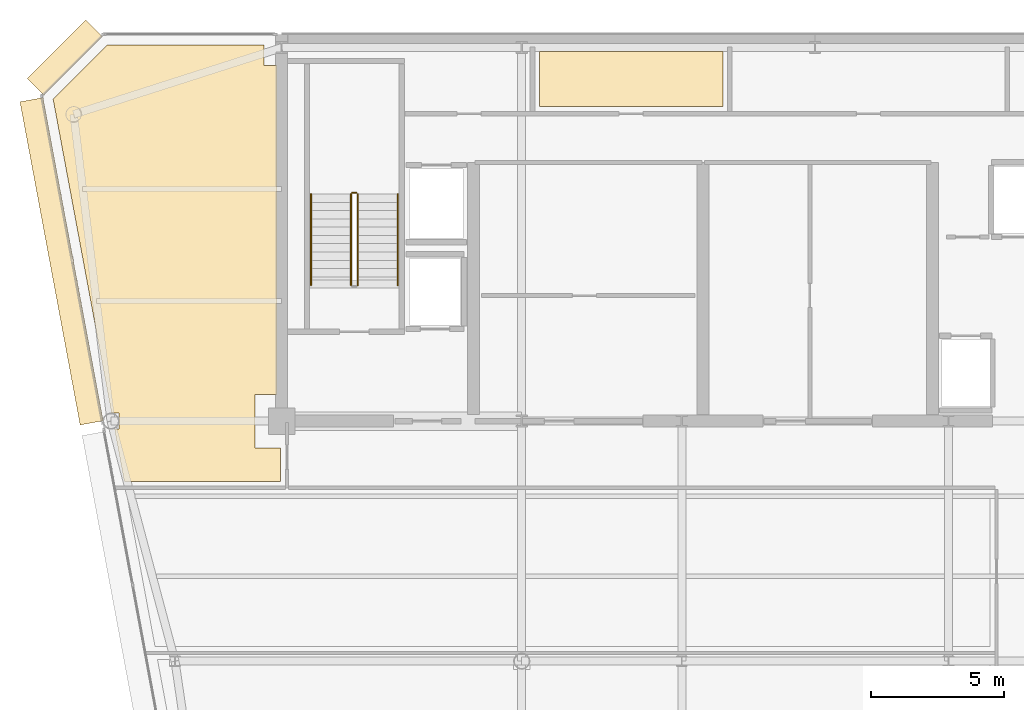
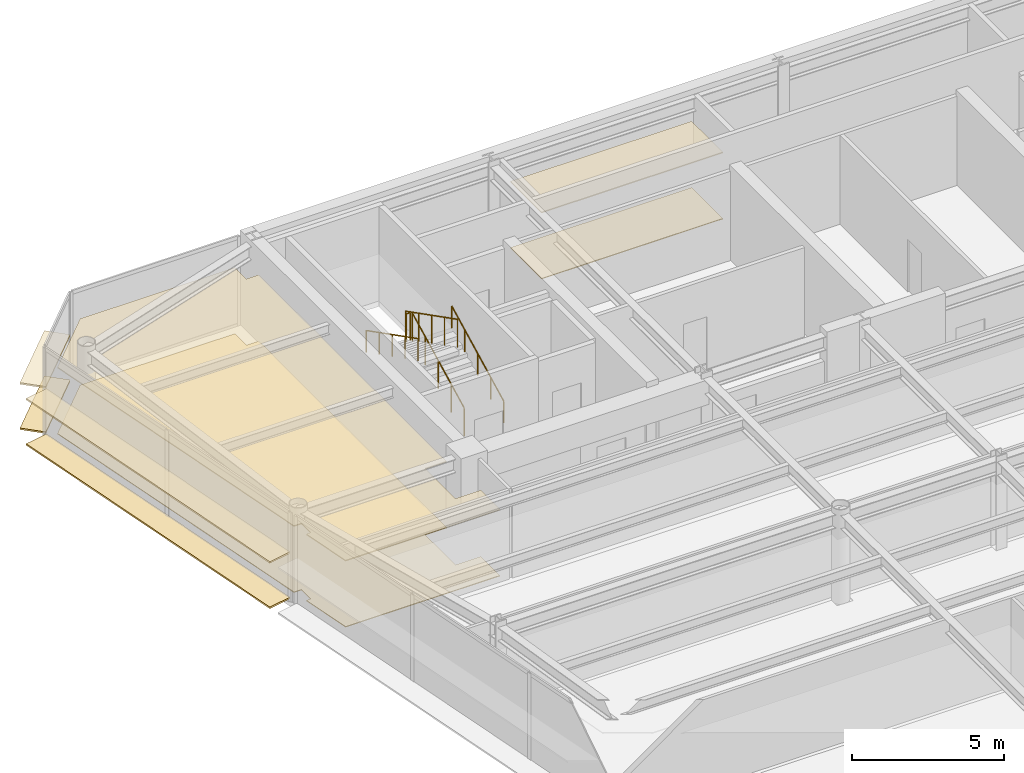
# One storey, part 16 of 18: 8 coverings, 5 railings.
"""IFC4 building model written with IfcOpenShell, lengths in metres."""

from ifc_helpers import new_model, si_unit, direction, frame, origin, origin_2d, place, context, subcontext, project, spatial, polyline, rectangle, circle, outline, extrude, source, transform, mapped, material, layer, layer_set, type_object, element, save


model = new_model("IFC4")

# Units and contexts
model_context = context("Model", 3, precision=1e-05, world=origin(), true_north=direction((0.0, 1.0)))
body_context = subcontext(model_context, "Body", "Model", "MODEL_VIEW")
ifc_project = project(units=[si_unit("LENGTHUNIT", "METRE"), si_unit("AREAUNIT", "SQUARE_METRE"), si_unit("VOLUMEUNIT", "CUBIC_METRE"), si_unit("PLANEANGLEUNIT", "RADIAN"), si_unit("MASSUNIT", "GRAM", prefix="KILO")], contexts=[model_context])

# Site, building, storey
site_placement = place(None, origin())
site = spatial("IfcSite", under=ifc_project, at=site_placement, CompositionType="ELEMENT")
building_placement = place(site_placement, origin())
building = spatial("IfcBuilding", under=site, at=building_placement, Name="Vaeldorn Concourse Tower", CompositionType="ELEMENT")
storey_placement = place(building_placement, frame((0.0, 0.0, 253.60009765625)))
storey = spatial("IfcBuildingStorey", under=building, at=storey_placement, Name="L65", CompositionType="ELEMENT", Elevation=253.60009765625)

# Coverings
ifc_material_1 = material(Name="Acoustic Mineral Fibre Board", Category="gypsum")
ifc_layer_1 = layer(ifc_material_1, 0.0400390625)
ifc_layer_set_1 = layer_set([ifc_layer_1], Name="Acoustic Mineral Fibre Board")
covering_type_1 = type_object("IfcCoveringType", Name="COV-CEIL-ACOUSTIC", PredefinedType="CEILING", material=ifc_layer_set_1)
covering_1_placement = place(storey_placement, frame((0.0, 0.0, 2.64990234375)))
element("IfcCovering", 1, at=covering_1_placement, inside=storey, type_object=covering_type_1, Name="Suspended Acoustic Ceiling L65-2", PredefinedType="CEILING", context=body_context, shape_type="SweptSolid", body=[
    extrude(outline(polyline([(30.5400390625, 50.35009765625), (30.5400390625, 48.300048828125), (23.659912109375, 48.300048828125), (23.659912109375, 50.35009765625), (30.5400390625, 50.35009765625)])), origin(), (0.0, 0.0, 1.0), 0.0400390625),
])
covering_2_placement = place(storey_placement, frame((0.0, 0.0, 2.64990234375)))
element("IfcCovering", 2, at=covering_2_placement, inside=storey, type_object=covering_type_1, Name="Suspended Acoustic Ceiling L65-3", PredefinedType="CEILING", context=body_context, shape_type="SweptSolid", body=[
    extrude(outline(polyline([(7.4658203125, 50.60009765625), (13.340087890625, 50.60009765625), (13.340087890625, 49.840087890625), (13.820068359375, 49.840087890625), (13.820068359375, 37.5), (13.0, 37.5), (13.0, 35.5), (13.9599609375, 35.5), (13.9599609375, 34.239990234375), (8.099365234375, 34.239990234375), (7.831298828125, 35.679931640625), (7.831298828125, 35.679931640625), (7.7353515625, 36.195068359375), (7.905029296875, 36.195068359375), (7.905029296875, 36.804931640625), (7.621826171875, 36.804931640625), (5.431884765625, 48.566162109375), (7.4658203125, 50.60009765625)])), origin(), (0.0, 0.0, 1.0), 0.0400390625),
])
ifc_material_2 = material(Name="Honed Limestone Terrazzo Flooring", Category="masonry")
ifc_layer_2 = layer(ifc_material_2, 0.0400390625)
ifc_layer_set_2 = layer_set([ifc_layer_2], Name="Honed Limestone Terrazzo Flooring")
covering_type_2 = type_object("IfcCoveringType", Name="COV-FLOOR-STONE", PredefinedType="FLOORING", material=ifc_layer_set_2)
covering_3_placement = place(storey_placement, origin())
element("IfcCovering", 3, at=covering_3_placement, inside=storey, type_object=covering_type_2, Name="Floor Finish Covering L65-2", PredefinedType="FLOORING", context=body_context, shape_type="SweptSolid", body=[
    extrude(outline(polyline([(30.5400390625, 50.35009765625), (30.5400390625, 48.300048828125), (23.659912109375, 48.300048828125), (23.659912109375, 50.35009765625), (30.5400390625, 50.35009765625)])), origin(), (0.0, 0.0, 1.0), 0.02978515625),
])
covering_4_placement = place(storey_placement, origin())
element("IfcCovering", 4, at=covering_4_placement, inside=storey, type_object=covering_type_2, Name="Floor Finish Covering L65-3", PredefinedType="FLOORING", context=body_context, shape_type="SweptSolid", body=[
    extrude(outline(polyline([(7.4658203125, 50.60009765625), (13.340087890625, 50.60009765625), (13.340087890625, 49.840087890625), (13.820068359375, 49.840087890625), (13.820068359375, 37.5), (13.0, 37.5), (13.0, 35.5), (13.9599609375, 35.5), (13.9599609375, 34.239990234375), (8.099365234375, 34.239990234375), (7.831298828125, 35.679931640625), (7.831298828125, 35.679931640625), (7.7353515625, 36.195068359375), (7.905029296875, 36.195068359375), (7.905029296875, 36.804931640625), (7.621826171875, 36.804931640625), (5.431884765625, 48.566162109375), (7.4658203125, 50.60009765625)])), origin(), (0.0, 0.0, 1.0), 0.02978515625),
])

# Railings
ifc_material_3 = material(Name="Anodised Bronze Aluminium", Category="aluminium")
railing_type_1 = type_object("IfcRailingType", Name="RL-STAIR-GUARD", PredefinedType="GUARDRAIL", material=ifc_material_3)
railing_1_placement = place(storey_placement, frame((16.85009765625, 41.60009765625, 0.158203125)))
element("IfcRailing", 5, at=railing_1_placement, inside=storey, type_object=railing_type_1, Name="L65 ST-1 stair guard 1", PredefinedType="GUARDRAIL", context=body_context, shape_type="SweptSolid", body=[
    extrude(circle(Radius=0.02392578125, at=origin_2d()), frame((0.0, 0.0, 1.1259765625), z_axis=(0.0, 0.890555807335, 0.454873997962), x_axis=(-1.0, 0.0, 0.0)), (0.0, 0.0, 1.0), 3.828857421875),
    extrude(circle(Radius=0.02099609375, at=origin_2d()), origin(), (0.0, 0.0, 1.0), 1.101806640625),
    extrude(circle(Radius=0.02099609375, at=origin_2d()), frame((0.0, 0.8525390625, 0.435546875)), (0.0, 0.0, 1.0), 1.101806640625),
    extrude(circle(Radius=0.02099609375, at=origin_2d()), frame((0.0, 1.705078125, 0.870849609375)), (0.0, 0.0, 1.0), 1.101806640625),
    extrude(circle(Radius=0.02099609375, at=origin_2d()), frame((0.0, 2.557373046875, 1.30615234375)), (0.0, 0.0, 1.0), 1.101806640625),
    extrude(circle(Radius=0.02099609375, at=origin_2d()), frame((0.0, 3.409912109375, 1.74169921875)), (0.0, 0.0, 1.0), 1.101806640625),
])
railing_2_placement = place(storey_placement, frame((16.800048828125, 45.06005859375, 1.89990234375)))
element("IfcRailing", 6, at=railing_2_placement, inside=storey, type_object=railing_type_1, Name="L65 ST-1 stair guard 2", PredefinedType="GUARDRAIL", context=body_context, shape_type="SweptSolid", body=[
    extrude(circle(Radius=0.02392578125, at=origin_2d()), frame((0.0, 0.0, 1.1259765625), z_axis=(-1.0, 0.0, 0.0), x_axis=(0.0, -1.0, 0.0)), (0.0, 0.0, 1.0), 0.150146484375),
    extrude(circle(Radius=0.02099609375, at=origin_2d()), origin(), (0.0, 0.0, 1.0), 1.101806640625),
    extrude(circle(Radius=0.02099609375, at=origin_2d()), frame((-0.150146484375, 0.0, 0.0)), (0.0, 0.0, 1.0), 1.101806640625),
])
railing_3_placement = place(storey_placement, frame((16.60009765625, 45.010009765625, 2.058349609375)))
element("IfcRailing", 7, at=railing_3_placement, inside=storey, type_object=railing_type_1, Name="L65 ST-1 stair guard 3", PredefinedType="GUARDRAIL", context=body_context, shape_type="SweptSolid", body=[
    extrude(circle(Radius=0.02392578125, at=origin_2d()), frame((0.0, 0.0, 1.1259765625), z_axis=(0.0, -0.890581635807, 0.454823427236), x_axis=(1.0, 0.0, 0.0)), (0.0, 0.0, 1.0), 3.828857421875),
    extrude(circle(Radius=0.02099609375, at=origin_2d()), origin(), (0.0, 0.0, 1.0), 1.101806640625),
    extrude(circle(Radius=0.02099609375, at=origin_2d()), frame((0.0, -0.8525390625, 0.435302734375)), (0.0, 0.0, 1.0), 1.101806640625),
    extrude(circle(Radius=0.02099609375, at=origin_2d()), frame((0.0, -1.705078125, 0.87060546875)), (0.0, 0.0, 1.0), 1.101806640625),
    extrude(circle(Radius=0.02099609375, at=origin_2d()), frame((0.0, -2.557373046875, 1.30615234375)), (0.0, 0.0, 1.0), 1.101806640625),
    extrude(circle(Radius=0.02099609375, at=origin_2d()), frame((0.0, -3.409912109375, 1.741455078125)), (0.0, 0.0, 1.0), 1.101806640625),
])
railing_type_2 = type_object("IfcRailingType", Name="RL-STAIR-HANDRAIL", PredefinedType="HANDRAIL", material=ifc_material_3)
railing_4_placement = place(storey_placement, frame((18.35009765625, 41.60009765625, 0.158203125)))
element("IfcRailing", 8, at=railing_4_placement, inside=storey, type_object=railing_type_2, Name="L65 ST-1 stair handrail 1", PredefinedType="HANDRAIL", context=body_context, shape_type="SweptSolid", body=[
    extrude(circle(Radius=0.02392578125, at=origin_2d()), frame((0.0, 0.0, 0.8759765625), z_axis=(0.0, 0.890555807335, 0.454873997962), x_axis=(-1.0, 0.0, 0.0)), (0.0, 0.0, 1.0), 3.828857421875),
    extrude(circle(Radius=0.02099609375, at=origin_2d()), origin(), (0.0, 0.0, 1.0), 0.851806640625),
    extrude(circle(Radius=0.02099609375, at=origin_2d()), frame((0.0, 0.8525390625, 0.435546875)), (0.0, 0.0, 1.0), 0.851806640625),
    extrude(circle(Radius=0.02099609375, at=origin_2d()), frame((0.0, 1.705078125, 0.870849609375)), (0.0, 0.0, 1.0), 0.851806640625),
    extrude(circle(Radius=0.02099609375, at=origin_2d()), frame((0.0, 2.557373046875, 1.30615234375)), (0.0, 0.0, 1.0), 0.851806640625),
    extrude(circle(Radius=0.02099609375, at=origin_2d()), frame((0.0, 3.409912109375, 1.74169921875)), (0.0, 0.0, 1.0), 0.851806640625),
])
railing_5_placement = place(storey_placement, frame((15.10009765625, 45.010009765625, 2.058349609375)))
element("IfcRailing", 9, at=railing_5_placement, inside=storey, type_object=railing_type_2, Name="L65 ST-1 stair handrail 2", PredefinedType="HANDRAIL", context=body_context, shape_type="SweptSolid", body=[
    extrude(circle(Radius=0.02392578125, at=origin_2d()), frame((0.0, 0.0, 0.8759765625), z_axis=(0.0, -0.890581635807, 0.454823427236), x_axis=(1.0, 0.0, 0.0)), (0.0, 0.0, 1.0), 3.828857421875),
    extrude(circle(Radius=0.02099609375, at=origin_2d()), origin(), (0.0, 0.0, 1.0), 0.851806640625),
    extrude(circle(Radius=0.02099609375, at=origin_2d()), frame((0.0, -0.8525390625, 0.435302734375)), (0.0, 0.0, 1.0), 0.851806640625),
    extrude(circle(Radius=0.02099609375, at=origin_2d()), frame((0.0, -1.705078125, 0.87060546875)), (0.0, 0.0, 1.0), 0.851806640625),
    extrude(circle(Radius=0.02099609375, at=origin_2d()), frame((0.0, -2.557373046875, 1.30615234375)), (0.0, 0.0, 1.0), 0.851806640625),
    extrude(circle(Radius=0.02099609375, at=origin_2d()), frame((0.0, -3.409912109375, 1.741455078125)), (0.0, 0.0, 1.0), 0.851806640625),
])

# Coverings
ifc_layer_3 = layer(ifc_material_3, 0.06494140625)
ifc_layer_set_3 = layer_set([ifc_layer_3], Name="Anodised Bronze Aluminium")
covering_type_3 = type_object("IfcCoveringType", Name="SD-BRONZE-SUNSHADE", PredefinedType="USERDEFINED", material=ifc_layer_set_3)
shared_shape_1 = source(origin(), body_context, "Body", "SweptSolid", [
    extrude(rectangle(XDim=3.0927734375, YDim=0.8798828125, at=origin_2d()), origin(), (0.0, 0.0, 1.0), 0.06494140625),
])
for number, where, z_axis, x_axis, name in (
    (10, (5.8671875, 50.1328125, 0.04736328125), (0.0, 0.0, 1.0), (-0.707106781187, -0.707106781187, 0.0), "Horizontal Bronze Sunshade L65-E10.1.1"),
    (11, (5.8671875, 50.1328125, 1.867431640625), (0.0, 0.0, 1.0), (-0.707106781187, -0.707106781187, 0.0), "Horizontal Bronze Sunshade L65-E10.1.2"),
):
    element("IfcCovering", number, at=place(storey_placement, frame(where, z_axis=z_axis, x_axis=x_axis)), inside=storey, type_object=covering_type_3, Name=name, ObjectType="SUNSHADE", PredefinedType="USERDEFINED", context=body_context, shape_type="MappedRepresentation", body=[
        mapped(shared_shape_1, transform((0.0, 0.0, 0.0), scale=1.0)),
    ])
shared_shape_2 = source(origin(), body_context, "Body", "SweptSolid", [
    extrude(rectangle(XDim=12.322509765625, YDim=0.8798828125, at=origin_2d()), origin(), (0.0, 0.0, 1.0), 0.06494140625),
])
for number, where, z_axis, x_axis, name in (
    (12, (5.749267578125, 42.490966796875, 0.04736328125), (0.0, 0.0, 1.0), (0.183059191151, -0.983101893262, 0.0), "Horizontal Bronze Sunshade L65-E11.1.1"),
    (13, (5.749267578125, 42.490966796875, 1.867431640625), (0.0, 0.0, 1.0), (0.183059191151, -0.983101893262, 0.0), "Horizontal Bronze Sunshade L65-E11.1.2"),
):
    element("IfcCovering", number, at=place(storey_placement, frame(where, z_axis=z_axis, x_axis=x_axis)), inside=storey, type_object=covering_type_3, Name=name, ObjectType="SUNSHADE", PredefinedType="USERDEFINED", context=body_context, shape_type="MappedRepresentation", body=[
        mapped(shared_shape_2, transform((0.0, 0.0, 0.0), scale=1.0)),
    ])

save(model, "model.ifc")
